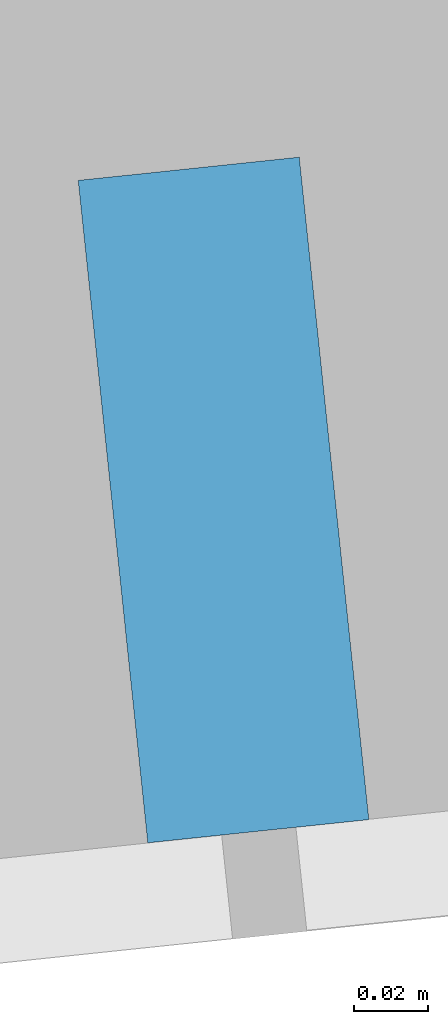
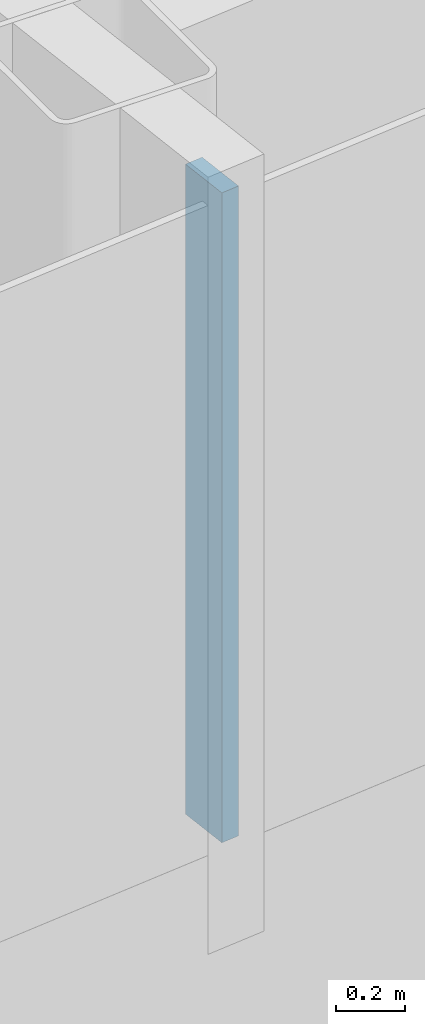
# One storey, part 7 of 26: 1 member, 1 element without a shape of its own.
"""IFC4 building model written with IfcOpenShell, lengths in metres."""

from ifc_helpers import new_model, si_unit, direction, frame, origin, origin_2d, place, context, subcontext, project, spatial, rectangle, extrude, material, layer, layer_set, material_profile, profile_set, type_object, element, aggregate, save


model = new_model("IFC4")

# Units and contexts
model_context = context("Model", 3, precision=1e-05, world=origin(), true_north=direction((0.0, 1.0)))
body_context = subcontext(model_context, "Body", "Model", "MODEL_VIEW")
ifc_project = project(units=[si_unit("LENGTHUNIT", "METRE"), si_unit("AREAUNIT", "SQUARE_METRE"), si_unit("VOLUMEUNIT", "CUBIC_METRE"), si_unit("PLANEANGLEUNIT", "RADIAN"), si_unit("MASSUNIT", "GRAM", prefix="KILO")], contexts=[model_context])

# Site, building, storey
site_placement = place(None, origin())
site = spatial("IfcSite", under=ifc_project, at=site_placement, CompositionType="ELEMENT")
building_placement = place(site_placement, origin())
building = spatial("IfcBuilding", under=site, at=building_placement, Name="Hakoniwa Tower and Hamabe Station Hall", CompositionType="ELEMENT")
storey_placement = place(building_placement, frame((0.0, 0.0, 251.800048828125)))
storey = spatial("IfcBuildingStorey", under=building, at=storey_placement, Name="L71", CompositionType="ELEMENT", Elevation=251.800048828125)

# Curtain wall, member
ifc_material_1 = material(Name="Dark low-e laminated glass", Category="glass")
ifc_layer = layer(ifc_material_1, 0.199951171875)
ifc_layer_set = layer_set([ifc_layer], Name="CW-1 UNITISED GUEST")
curtain_wall_type = type_object("IfcCurtainWallType", Name="CW-1 UNITISED GUEST", PredefinedType="NOTDEFINED", material=ifc_layer_set)
curtain_wall_placement = place(storey_placement, origin())
curtain_wall = element("IfcCurtainWall", 1, at=curtain_wall_placement, inside=storey, type_object=curtain_wall_type, Name="CW-1 curtain wall", PredefinedType="NOTDEFINED")
ifc_material_2 = material(Name="Aluminium 6063-T5 black anodised", Category="aluminium")
ifc_material_profile = material_profile(ifc_material_2, rectangle(XDim=0.06005859375, YDim=0.179931640625, at=origin_2d()), Name="CW-1 MULLION 60X180")
ifc_profile_set = profile_set([ifc_material_profile], Name="Aluminium 6063-T5 black anodised")
member_type = type_object("IfcMemberType", Name="CW-1 MULLION 60X180", PredefinedType="MULLION", material=ifc_profile_set)
member_placement = place(storey_placement, frame((18.50390625, -12.831787109375, 0.349853515625), z_axis=(0.0, 0.0, 1.0), x_axis=(0.994521895272, 0.104528464188, 0.0)))
member = element("IfcMember", 2, at=member_placement, type_object=member_type, Name="CW-1 mullion", PredefinedType="MULLION", context=body_context, shape_type="SweptSolid", body=[
    extrude(rectangle(XDim=0.06005859375, YDim=0.179931640625, at=origin_2d()), origin(), (0.0, 0.0, 1.0), 2.300048828125),
])
aggregate(curtain_wall, [member])

save(model, "model.ifc")
